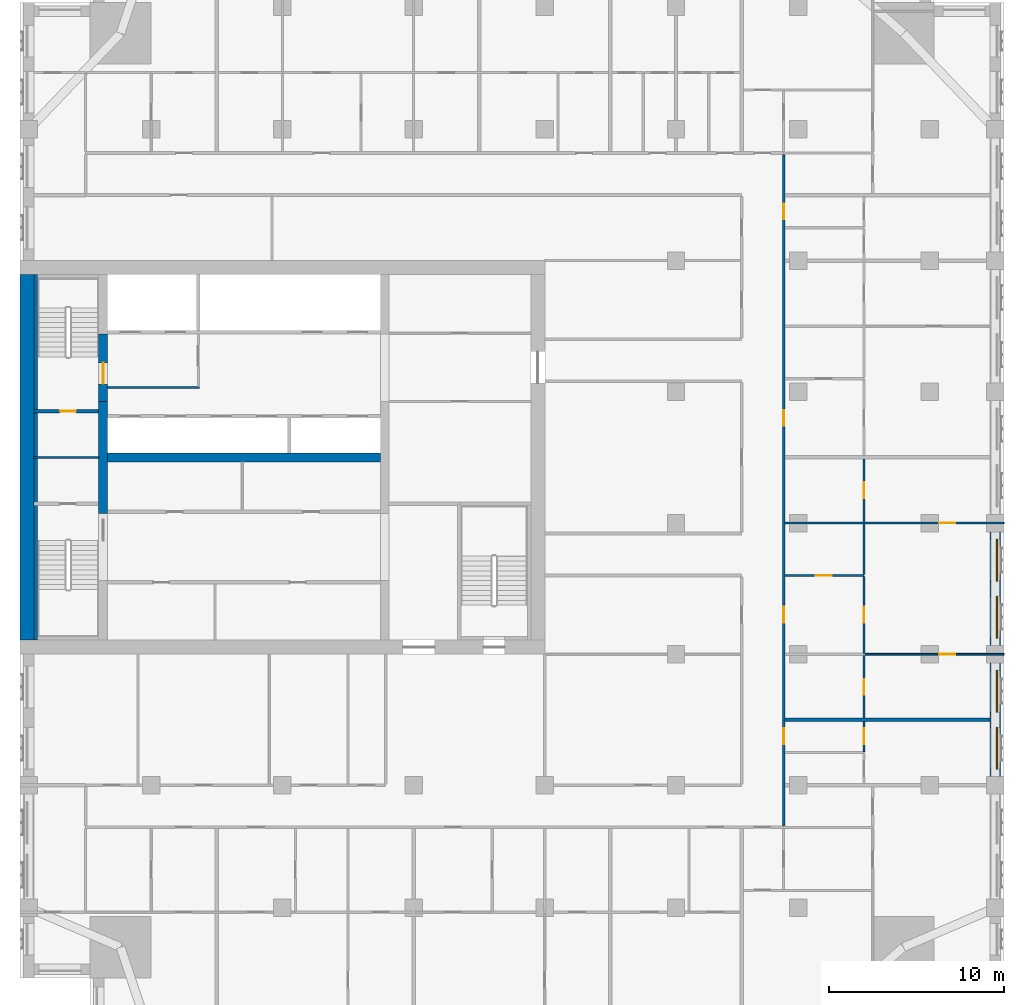
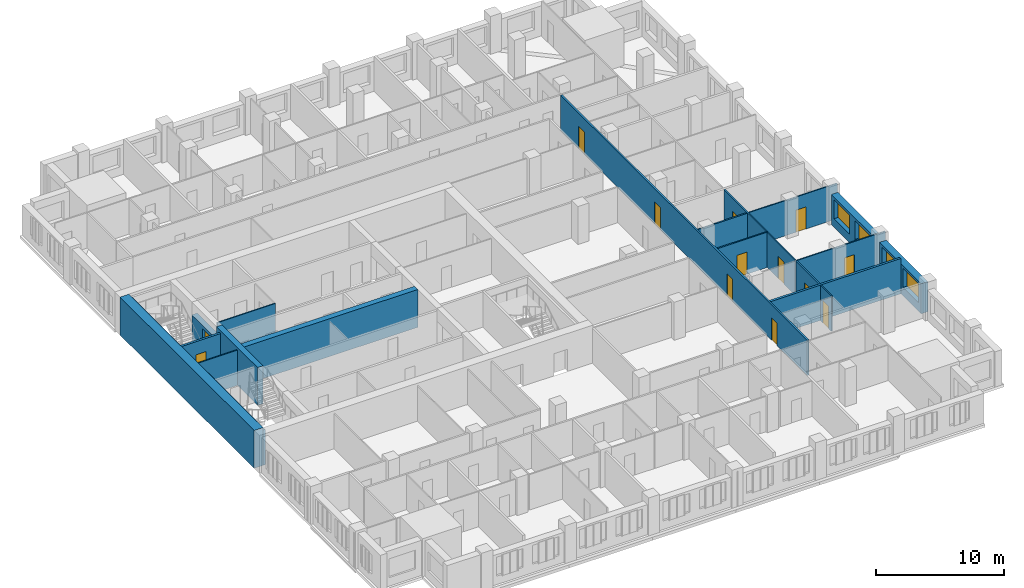
# One storey, part 7 of 14: 20 walls, 13 doors, 4 windows, 17 openings.
"""IFC4 building model written with IfcOpenShell, lengths in metres."""

from ifc_helpers import new_model, si_unit, direction, frame, frame_2d, origin, place, context, subcontext, project, spatial, rectangle, extrude, material, layer, layer_set, type_object, element, fill, save


model = new_model("IFC4")

# Units and contexts
model_context = context("Model", 3, precision=1e-05, world=origin(), true_north=direction((0.0, 1.0)))
body_context = subcontext(model_context, "Body", "Model", "MODEL_VIEW")
ifc_project = project(units=[si_unit("LENGTHUNIT", "METRE"), si_unit("AREAUNIT", "SQUARE_METRE"), si_unit("VOLUMEUNIT", "CUBIC_METRE"), si_unit("PLANEANGLEUNIT", "RADIAN"), si_unit("MASSUNIT", "GRAM", prefix="KILO")], contexts=[model_context])

# Site, building, storey
site_placement = place(None, origin())
site = spatial("IfcSite", under=ifc_project, at=site_placement, CompositionType="ELEMENT")
building_placement = place(site_placement, origin())
building = spatial("IfcBuilding", under=site, at=building_placement, Name="Tamorin Gate", CompositionType="ELEMENT")
storey_placement = place(building_placement, frame((0.0, 0.0, 151.800048828125)))
storey = spatial("IfcBuildingStorey", under=building, at=storey_placement, Name="L37", CompositionType="ELEMENT", Elevation=151.800048828125)

# Wall, openings, windows
ifc_material_1 = material(Name="Precast concrete C40/50", Category="concrete")
ifc_layer_1 = layer(ifc_material_1, 0.60009765625)
ifc_layer_set_1 = layer_set([ifc_layer_1], Name="Precast concrete C40/50")
wall_type_1 = type_object("IfcWallType", Name="Board-marked concrete facade panel 600", PredefinedType="SOLIDWALL", material=ifc_layer_set_1)
wall_1_placement = place(storey_placement, frame((85.75, 53.0, 0.0), z_axis=(0.0, 0.0, 1.0), x_axis=(0.0, 1.0, 0.0)))
wall_1 = element("IfcWall", 1, at=wall_1_placement, inside=storey, type_object=wall_type_1, Name="Facade panel", PredefinedType="SOLIDWALL", context=body_context, shape_type="SweptSolid", body=[
    extrude(rectangle(XDim=6.5, YDim=0.60009765625, at=frame_2d((3.25, 0.0))), origin(), (0.0, 0.0, 1.0), 2.849853515625),
])
opening_1_placement = place(wall_1_placement, frame((0.425048828125, 0.0, 0.800048828125)))
opening_1 = element("IfcOpeningElement", 2, at=opening_1_placement, cuts=wall_1, Name="Opening WN1", PredefinedType="OPENING", context=body_context, shape_type="SweptSolid", body=[
    extrude(rectangle(XDim=2.39990234375, YDim=1.800048828125, at=frame_2d((1.199951171875, 0.89990234375))), frame((0.0, 0.31005859375, 0.0), z_axis=(0.0, -1.0, 0.0), x_axis=(1.0, 0.0, 0.0)), (0.0, 0.0, 1.0), 0.6201171875),
])
opening_2_placement = place(wall_1_placement, frame((3.675048828125, 0.0, 0.800048828125)))
opening_2 = element("IfcOpeningElement", 3, at=opening_2_placement, cuts=wall_1, Name="Opening WN1", PredefinedType="OPENING", context=body_context, shape_type="SweptSolid", body=[
    extrude(rectangle(XDim=2.39990234375, YDim=1.800048828125, at=frame_2d((1.199951171875, 0.89990234375))), frame((0.0, 0.31005859375, 0.0), z_axis=(0.0, -1.0, 0.0), x_axis=(1.0, 0.0, 0.0)), (0.0, 0.0, 1.0), 0.6201171875),
])
ifc_material_2 = material(Name="Clear glass in aluminium frame", Category="aluminium")
window_type = type_object("IfcWindowType", Name="Deep-set window 2400x1800", PartitioningType="SINGLE_PANEL", PredefinedType="WINDOW", material=ifc_material_2)
window_1_placement = place(opening_1_placement, origin())
window_1 = element("IfcWindow", 4, at=window_1_placement, inside=storey, type_object=window_type, Name="Deep-set window", OverallHeight=1.800048828125, OverallWidth=2.39990234375, PartitioningType="SINGLE_PANEL", PredefinedType="WINDOW", context=body_context, shape_type="SweptSolid", body=[
    extrude(rectangle(XDim=2.39990234375, YDim=1.800048828125, at=frame_2d((1.199951171875, 0.89990234375))), frame((0.0, -0.070068359375, 0.0), z_axis=(0.0, -1.0, 0.0), x_axis=(1.0, 0.0, 0.0)), (0.0, 0.0, 1.0), 0.06005859375),
])
fill(opening_1, window_1)
window_2_placement = place(opening_2_placement, origin())
window_2 = element("IfcWindow", 5, at=window_2_placement, inside=storey, type_object=window_type, Name="Deep-set window", OverallHeight=1.800048828125, OverallWidth=2.39990234375, PartitioningType="SINGLE_PANEL", PredefinedType="WINDOW", context=body_context, shape_type="SweptSolid", body=[
    extrude(rectangle(XDim=2.39990234375, YDim=1.800048828125, at=frame_2d((1.199951171875, 0.89990234375))), frame((0.0, -0.070068359375, 0.0), z_axis=(0.0, -1.0, 0.0), x_axis=(1.0, 0.0, 0.0)), (0.0, 0.0, 1.0), 0.06005859375),
])
fill(opening_2, window_2)

wall_2_placement = place(storey_placement, frame((85.75, 60.5, 0.0), z_axis=(0.0, 0.0, 1.0), x_axis=(0.0, 1.0, 0.0)))
wall_2 = element("IfcWall", 6, at=wall_2_placement, inside=storey, type_object=wall_type_1, Name="Facade panel", PredefinedType="SOLIDWALL", context=body_context, shape_type="SweptSolid", body=[
    extrude(rectangle(XDim=6.5, YDim=0.60009765625, at=frame_2d((3.25, 0.0))), origin(), (0.0, 0.0, 1.0), 2.849853515625),
])
opening_3_placement = place(wall_2_placement, frame((0.425048828125, 0.0, 0.800048828125)))
opening_3 = element("IfcOpeningElement", 7, at=opening_3_placement, cuts=wall_2, Name="Opening WN1", PredefinedType="OPENING", context=body_context, shape_type="SweptSolid", body=[
    extrude(rectangle(XDim=2.39990234375, YDim=1.800048828125, at=frame_2d((1.199951171875, 0.89990234375))), frame((0.0, 0.31005859375, 0.0), z_axis=(0.0, -1.0, 0.0), x_axis=(1.0, 0.0, 0.0)), (0.0, 0.0, 1.0), 0.6201171875),
])
opening_4_placement = place(wall_2_placement, frame((3.675048828125, 0.0, 0.800048828125)))
opening_4 = element("IfcOpeningElement", 8, at=opening_4_placement, cuts=wall_2, Name="Opening WN1", PredefinedType="OPENING", context=body_context, shape_type="SweptSolid", body=[
    extrude(rectangle(XDim=2.39990234375, YDim=1.800048828125, at=frame_2d((1.199951171875, 0.89990234375))), frame((0.0, 0.31005859375, 0.0), z_axis=(0.0, -1.0, 0.0), x_axis=(1.0, 0.0, 0.0)), (0.0, 0.0, 1.0), 0.6201171875),
])
window_3_placement = place(opening_3_placement, origin())
window_3 = element("IfcWindow", 9, at=window_3_placement, inside=storey, type_object=window_type, Name="Deep-set window", OverallHeight=1.800048828125, OverallWidth=2.39990234375, PartitioningType="SINGLE_PANEL", PredefinedType="WINDOW", context=body_context, shape_type="SweptSolid", body=[
    extrude(rectangle(XDim=2.39990234375, YDim=1.800048828125, at=frame_2d((1.199951171875, 0.89990234375))), frame((0.0, -0.070068359375, 0.0), z_axis=(0.0, -1.0, 0.0), x_axis=(1.0, 0.0, 0.0)), (0.0, 0.0, 1.0), 0.06005859375),
])
fill(opening_3, window_3)
window_4_placement = place(opening_4_placement, origin())
window_4 = element("IfcWindow", 10, at=window_4_placement, inside=storey, type_object=window_type, Name="Deep-set window", OverallHeight=1.800048828125, OverallWidth=2.39990234375, PartitioningType="SINGLE_PANEL", PredefinedType="WINDOW", context=body_context, shape_type="SweptSolid", body=[
    extrude(rectangle(XDim=2.39990234375, YDim=1.800048828125, at=frame_2d((1.199951171875, 0.89990234375))), frame((0.0, -0.070068359375, 0.0), z_axis=(0.0, -1.0, 0.0), x_axis=(1.0, 0.0, 0.0)), (0.0, 0.0, 1.0), 0.06005859375),
])
fill(opening_4, window_4)

# Wall, openings, doors
ifc_material_3 = material(Name="Gypsum board partition")
ifc_layer_2 = layer(ifc_material_3, 0.14990234375)
ifc_layer_set_2 = layer_set([ifc_layer_2], Name="Corridor wall 150")
wall_type_2 = type_object("IfcWallType", Name="Corridor wall 150", PredefinedType="PARTITIONING", material=ifc_layer_set_2)
wall_3_placement = place(storey_placement, frame((73.64990234375, 50.175048828125, 0.0), z_axis=(0.0, 0.0, 1.0), x_axis=(0.0, 1.0, 0.0)))
wall_3 = element("IfcWall", 11, at=wall_3_placement, inside=storey, type_object=wall_type_2, Name="Corridor wall 150", PredefinedType="PARTITIONING", context=body_context, shape_type="SweptSolid", body=[
    extrude(rectangle(XDim=38.39990234375, YDim=0.14990234375, at=frame_2d((19.199951171875, 0.0))), origin(), (0.0, 0.0, 1.0), 3.349853515625),
])
opening_5_placement = place(wall_3_placement, frame((4.6875, 0.0, 0.0)))
opening_5 = element("IfcOpeningElement", 12, at=opening_5_placement, cuts=wall_3, Name="Opening DS3039", PredefinedType="OPENING", context=body_context, shape_type="SweptSolid", body=[
    extrude(rectangle(XDim=0.89990234375, YDim=2.10009765625, at=frame_2d((0.449951171875, 1.050048828125))), frame((0.0, 0.0849609375, 0.0), z_axis=(0.0, -1.0, 0.0), x_axis=(1.0, 0.0, 0.0)), (0.0, 0.0, 1.0), 0.169921875),
])
opening_6_placement = place(wall_3_placement, frame((11.625, 0.0, 0.0)))
opening_6 = element("IfcOpeningElement", 13, at=opening_6_placement, cuts=wall_3, Name="Opening DS3042", PredefinedType="OPENING", context=body_context, shape_type="SweptSolid", body=[
    extrude(rectangle(XDim=0.89990234375, YDim=2.10009765625, at=frame_2d((0.449951171875, 1.050048828125))), frame((0.0, 0.0849609375, 0.0), z_axis=(0.0, -1.0, 0.0), x_axis=(1.0, 0.0, 0.0)), (0.0, 0.0, 1.0), 0.169921875),
])
opening_7_placement = place(wall_3_placement, frame((22.875, 0.0, 0.0)))
opening_7 = element("IfcOpeningElement", 14, at=opening_7_placement, cuts=wall_3, Name="Opening DS3048", PredefinedType="OPENING", context=body_context, shape_type="SweptSolid", body=[
    extrude(rectangle(XDim=0.89990234375, YDim=2.10009765625, at=frame_2d((0.449951171875, 1.050048828125))), frame((0.0, 0.0849609375, 0.0), z_axis=(0.0, -1.0, 0.0), x_axis=(1.0, 0.0, 0.0)), (0.0, 0.0, 1.0), 0.169921875),
])
opening_8_placement = place(wall_3_placement, frame((34.6875, 0.0, 0.0)))
opening_8 = element("IfcOpeningElement", 15, at=opening_8_placement, cuts=wall_3, Name="Opening DS3054", PredefinedType="OPENING", context=body_context, shape_type="SweptSolid", body=[
    extrude(rectangle(XDim=0.89990234375, YDim=2.10009765625, at=frame_2d((0.449951171875, 1.050048828125))), frame((0.0, 0.0849609375, 0.0), z_axis=(0.0, -1.0, 0.0), x_axis=(1.0, 0.0, 0.0)), (0.0, 0.0, 1.0), 0.169921875),
])
ifc_material_4 = material(Name="Timber door leaf", Category="wood")
door_type_1 = type_object("IfcDoorType", Name="Door 900 x 2100 FD30S", OperationType="NOTDEFINED", PredefinedType="DOOR", material=ifc_material_4)
door_1_placement = place(opening_5_placement, origin())
door_1 = element("IfcDoor", 16, at=door_1_placement, inside=storey, type_object=door_type_1, Name="Door DS3039", OperationType="SINGLE_SWING_RIGHT", OverallHeight=2.10009765625, OverallWidth=0.89990234375, PredefinedType="DOOR", context=body_context, shape_type="SweptSolid", body=[
    extrude(rectangle(XDim=0.89990234375, YDim=2.10009765625, at=frame_2d((0.449951171875, 1.050048828125))), frame((0.0, 0.02490234375, 0.0), z_axis=(0.0, -1.0, 0.0), x_axis=(1.0, 0.0, 0.0)), (0.0, 0.0, 1.0), 0.050048828125),
])
fill(opening_5, door_1)
door_2_placement = place(opening_6_placement, origin())
door_2 = element("IfcDoor", 17, at=door_2_placement, inside=storey, type_object=door_type_1, Name="Door DS3042", OperationType="SINGLE_SWING_RIGHT", OverallHeight=2.10009765625, OverallWidth=0.89990234375, PredefinedType="DOOR", context=body_context, shape_type="SweptSolid", body=[
    extrude(rectangle(XDim=0.89990234375, YDim=2.10009765625, at=frame_2d((0.449951171875, 1.050048828125))), frame((0.0, 0.02490234375, 0.0), z_axis=(0.0, -1.0, 0.0), x_axis=(1.0, 0.0, 0.0)), (0.0, 0.0, 1.0), 0.050048828125),
])
fill(opening_6, door_2)
door_3_placement = place(opening_7_placement, origin())
door_3 = element("IfcDoor", 18, at=door_3_placement, inside=storey, type_object=door_type_1, Name="Door DS3048", OperationType="SINGLE_SWING_RIGHT", OverallHeight=2.10009765625, OverallWidth=0.89990234375, PredefinedType="DOOR", context=body_context, shape_type="SweptSolid", body=[
    extrude(rectangle(XDim=0.89990234375, YDim=2.10009765625, at=frame_2d((0.449951171875, 1.050048828125))), frame((0.0, 0.02490234375, 0.0), z_axis=(0.0, -1.0, 0.0), x_axis=(1.0, 0.0, 0.0)), (0.0, 0.0, 1.0), 0.050048828125),
])
fill(opening_7, door_3)
door_4_placement = place(opening_8_placement, origin())
door_4 = element("IfcDoor", 19, at=door_4_placement, inside=storey, type_object=door_type_1, Name="Door DS3054", OperationType="SINGLE_SWING_RIGHT", OverallHeight=2.10009765625, OverallWidth=0.89990234375, PredefinedType="DOOR", context=body_context, shape_type="SweptSolid", body=[
    extrude(rectangle(XDim=0.89990234375, YDim=2.10009765625, at=frame_2d((0.449951171875, 1.050048828125))), frame((0.0, 0.02490234375, 0.0), z_axis=(0.0, -1.0, 0.0), x_axis=(1.0, 0.0, 0.0)), (0.0, 0.0, 1.0), 0.050048828125),
])
fill(opening_8, door_4)

# Walls
ifc_layer_3 = layer(ifc_material_3, 0.199951171875)
ifc_layer_set_3 = layer_set([ifc_layer_3], Name="Demising wall 200")
wall_type_3 = type_object("IfcWallType", Name="Demising wall 200", PredefinedType="PARTITIONING", material=ifc_layer_set_3)
wall_4_placement = place(storey_placement, frame((73.72509765625, 56.25, 0.0), z_axis=(0.0, 0.0, 1.0), x_axis=(1.0, 0.0, 0.0)))
element("IfcWall", 20, at=wall_4_placement, inside=storey, type_object=wall_type_3, Name="Demising wall 200", PredefinedType="PARTITIONING", context=body_context, shape_type="SweptSolid", body=[
    extrude(rectangle(XDim=11.71484375, YDim=0.199951171875, at=frame_2d((5.857421875, 0.0))), origin(), (0.0, 0.0, 1.0), 3.349853515625),
])
ifc_material_5 = material(Name="Fire-rated gypsum board partition")
ifc_layer_4 = layer(ifc_material_5, 0.10009765625)
ifc_layer_set_4 = layer_set([ifc_layer_4], Name="Lobby wall 100 EI 60")
wall_type_4 = type_object("IfcWallType", Name="Lobby wall 100 EI 60", PredefinedType="PARTITIONING", material=ifc_layer_set_4)
wall_5_placement = place(storey_placement, frame((35.0, 75.25, 0.0), z_axis=(0.0, 0.0, 1.0), x_axis=(1.0, 0.0, 0.0)))
element("IfcWall", 21, at=wall_5_placement, inside=storey, type_object=wall_type_4, Name="Firefighting lobby wall", PredefinedType="PARTITIONING", context=body_context, shape_type="SweptSolid", body=[
    extrude(rectangle(XDim=5.25, YDim=0.10009765625, at=frame_2d((2.625, 0.0))), origin(), (0.0, 0.0, 1.0), 3.349853515625),
])
ifc_material_6 = material(Name="Concrete C60/75", Category="concrete")
ifc_layer_5 = layer(ifc_material_6, 0.5)
ifc_layer_set_5 = layer_set([ifc_layer_5], Name="RC core internal wall 500 C60/75")
wall_type_5 = type_object("IfcWallType", Name="RC core internal wall 500 C60/75", PredefinedType="SHEAR", material=ifc_layer_set_5)
wall_6_placement = place(storey_placement, frame((35.0, 71.25, 0.0), z_axis=(0.0, 0.0, 1.0), x_axis=(1.0, 0.0, 0.0)))
element("IfcWall", 22, at=wall_6_placement, inside=storey, type_object=wall_type_5, Name="Core spine wall L37", PredefinedType="SHEAR", context=body_context, shape_type="SweptSolid", body=[
    extrude(rectangle(XDim=15.60009765625, YDim=0.5, at=frame_2d((7.800048828125, 0.0))), origin(), (0.0, 0.0, 1.0), 3.599853515625),
])
wall_7_placement = place(storey_placement, frame((34.75, 68.050048828125, 0.0), z_axis=(0.0, 0.0, 1.0), x_axis=(0.0, 1.0, 0.0)))
element("IfcWall", 23, at=wall_7_placement, inside=storey, type_object=wall_type_5, Name="Core cross wall L37", PredefinedType="SHEAR", context=body_context, shape_type="SweptSolid", body=[
    extrude(rectangle(XDim=6.39990234375, YDim=0.5, at=frame_2d((3.199951171875, 0.0))), origin(), (0.0, 0.0, 1.0), 3.599853515625),
])
ifc_layer_6 = layer(ifc_material_6, 0.800048828125)
ifc_layer_set_6 = layer_set([ifc_layer_6], Name="RC core wall 800 C60/75")
wall_type_6 = type_object("IfcWallType", Name="RC core wall 800 C60/75", PredefinedType="SHEAR", material=ifc_layer_set_6)
wall_8_placement = place(storey_placement, frame((30.39990234375, 60.800048828125, 0.0), z_axis=(0.0, 0.0, 1.0), x_axis=(0.0, 1.0, 0.0)))
element("IfcWall", 24, at=wall_8_placement, inside=storey, type_object=wall_type_6, Name="Core wall L37", PredefinedType="SHEAR", context=body_context, shape_type="SweptSolid", body=[
    extrude(rectangle(XDim=20.89990234375, YDim=0.800048828125, at=frame_2d((10.449951171875, 0.0))), origin(), (0.0, 0.0, 1.0), 3.599853515625),
])
ifc_layer_7 = layer(ifc_material_5, 0.10009765625)
ifc_layer_set_7 = layer_set([ifc_layer_7], Name="Riser partition 100 EI 120")
wall_type_7 = type_object("IfcWallType", Name="Riser partition 100 EI 120", PredefinedType="PARTITIONING", material=ifc_layer_set_7)
wall_9_placement = place(storey_placement, frame((30.800048828125, 71.25, 0.0), z_axis=(0.0, 0.0, 1.0), x_axis=(1.0, 0.0, 0.0)))
element("IfcWall", 25, at=wall_9_placement, inside=storey, type_object=wall_type_7, Name="Riser partition", PredefinedType="PARTITIONING", context=body_context, shape_type="SweptSolid", body=[
    extrude(rectangle(XDim=3.699951171875, YDim=0.10009765625, at=frame_2d((1.85009765625, 0.0))), origin(), (0.0, 0.0, 1.0), 3.349853515625),
])

# Wall, opening, door
ifc_layer_8 = layer(ifc_material_3, 0.10009765625)
ifc_layer_set_8 = layer_set([ifc_layer_8], Name="Room partition 100")
wall_type_8 = type_object("IfcWallType", Name="Room partition 100", PredefinedType="PARTITIONING", material=ifc_layer_set_8)
wall_10_placement = place(storey_placement, frame((78.3125, 60.0, 0.0), z_axis=(0.0, 0.0, 1.0), x_axis=(1.0, 0.0, 0.0)))
wall_10 = element("IfcWall", 26, at=wall_10_placement, inside=storey, type_object=wall_type_8, Name="Room partition 100", PredefinedType="PARTITIONING", context=body_context, shape_type="SweptSolid", body=[
    extrude(rectangle(XDim=7.9375, YDim=0.10009765625, at=frame_2d((3.96875, 0.0))), origin(), (0.0, 0.0, 1.0), 3.349853515625),
])
opening_9_placement = place(wall_10_placement, frame((4.237548828125, 0.0, 0.0)))
opening_9 = element("IfcOpeningElement", 27, at=opening_9_placement, cuts=wall_10, Name="Opening DS3046", PredefinedType="OPENING", context=body_context, shape_type="SweptSolid", body=[
    extrude(rectangle(XDim=0.89990234375, YDim=2.10009765625, at=frame_2d((0.449951171875, 1.050048828125))), frame((0.0, 0.06005859375, 0.0), z_axis=(0.0, -1.0, 0.0), x_axis=(1.0, 0.0, 0.0)), (0.0, 0.0, 1.0), 0.1201171875),
])
door_type_2 = type_object("IfcDoorType", Name="Door 900 x 2100", OperationType="NOTDEFINED", PredefinedType="DOOR", material=ifc_material_4)
door_5_placement = place(opening_9_placement, origin())
door_5 = element("IfcDoor", 28, at=door_5_placement, inside=storey, type_object=door_type_2, Name="Door DS3046", OperationType="SINGLE_SWING_LEFT", OverallHeight=2.10009765625, OverallWidth=0.89990234375, PredefinedType="DOOR", context=body_context, shape_type="SweptSolid", body=[
    extrude(rectangle(XDim=0.89990234375, YDim=2.10009765625, at=frame_2d((0.449951171875, 1.050048828125))), frame((0.0, 0.02490234375, 0.0), z_axis=(0.0, -1.0, 0.0), x_axis=(1.0, 0.0, 0.0)), (0.0, 0.0, 1.0), 0.050048828125),
])
fill(opening_9, door_5)

wall_11_placement = place(storey_placement, frame((78.3125, 67.5, 0.0), z_axis=(0.0, 0.0, 1.0), x_axis=(1.0, 0.0, 0.0)))
wall_11 = element("IfcWall", 29, at=wall_11_placement, inside=storey, type_object=wall_type_8, Name="Room partition 100", PredefinedType="PARTITIONING", context=body_context, shape_type="SweptSolid", body=[
    extrude(rectangle(XDim=7.9375, YDim=0.10009765625, at=frame_2d((3.96875, 0.0))), origin(), (0.0, 0.0, 1.0), 3.349853515625),
])
opening_10_placement = place(wall_11_placement, frame((4.237548828125, 0.0, 0.0)))
opening_10 = element("IfcOpeningElement", 30, at=opening_10_placement, cuts=wall_11, Name="Opening DS3047", PredefinedType="OPENING", context=body_context, shape_type="SweptSolid", body=[
    extrude(rectangle(XDim=0.89990234375, YDim=2.10009765625, at=frame_2d((0.449951171875, 1.050048828125))), frame((0.0, 0.06005859375, 0.0), z_axis=(0.0, -1.0, 0.0), x_axis=(1.0, 0.0, 0.0)), (0.0, 0.0, 1.0), 0.1201171875),
])
door_6_placement = place(opening_10_placement, origin())
door_6 = element("IfcDoor", 31, at=door_6_placement, inside=storey, type_object=door_type_2, Name="Door DS3047", OperationType="SINGLE_SWING_LEFT", OverallHeight=2.10009765625, OverallWidth=0.89990234375, PredefinedType="DOOR", context=body_context, shape_type="SweptSolid", body=[
    extrude(rectangle(XDim=0.89990234375, YDim=2.10009765625, at=frame_2d((0.449951171875, 1.050048828125))), frame((0.0, 0.02490234375, 0.0), z_axis=(0.0, -1.0, 0.0), x_axis=(1.0, 0.0, 0.0)), (0.0, 0.0, 1.0), 0.050048828125),
])
fill(opening_10, door_6)

wall_12_placement = place(storey_placement, frame((78.25, 54.4375, 0.0), z_axis=(0.0, 0.0, 1.0), x_axis=(0.0, 1.0, 0.0)))
wall_12 = element("IfcWall", 32, at=wall_12_placement, inside=storey, type_object=wall_type_8, Name="Room partition 100", PredefinedType="PARTITIONING", context=body_context, shape_type="SweptSolid", body=[
    extrude(rectangle(XDim=1.71240234375, YDim=0.10009765625, at=frame_2d((0.856201171875, 0.0))), origin(), (0.0, 0.0, 1.0), 3.349853515625),
])
opening_11_placement = place(wall_12_placement, frame((0.425048828125, 0.0, 0.0)))
opening_11 = element("IfcOpeningElement", 33, at=opening_11_placement, cuts=wall_12, Name="Opening DS3040", PredefinedType="OPENING", context=body_context, shape_type="SweptSolid", body=[
    extrude(rectangle(XDim=0.89990234375, YDim=2.10009765625, at=frame_2d((0.449951171875, 1.050048828125))), frame((0.0, 0.06005859375, 0.0), z_axis=(0.0, -1.0, 0.0), x_axis=(1.0, 0.0, 0.0)), (0.0, 0.0, 1.0), 0.1201171875),
])
door_7_placement = place(opening_11_placement, origin())
door_7 = element("IfcDoor", 34, at=door_7_placement, inside=storey, type_object=door_type_2, Name="Door DS3040", OperationType="SINGLE_SWING_LEFT", OverallHeight=2.10009765625, OverallWidth=0.89990234375, PredefinedType="DOOR", context=body_context, shape_type="SweptSolid", body=[
    extrude(rectangle(XDim=0.89990234375, YDim=2.10009765625, at=frame_2d((0.449951171875, 1.050048828125))), frame((0.0, 0.02490234375, 0.0), z_axis=(0.0, -1.0, 0.0), x_axis=(1.0, 0.0, 0.0)), (0.0, 0.0, 1.0), 0.050048828125),
])
fill(opening_11, door_7)

wall_13_placement = place(storey_placement, frame((78.25, 60.0625, 0.0), z_axis=(0.0, 0.0, 1.0), x_axis=(0.0, 1.0, 0.0)))
wall_13 = element("IfcWall", 35, at=wall_13_placement, inside=storey, type_object=wall_type_8, Name="Room partition 100", PredefinedType="PARTITIONING", context=body_context, shape_type="SweptSolid", body=[
    extrude(rectangle(XDim=4.375, YDim=0.10009765625, at=frame_2d((2.1875, 0.0))), origin(), (0.0, 0.0, 1.0), 3.349853515625),
])
opening_12_placement = place(wall_13_placement, frame((1.737548828125, 0.0, 0.0)))
opening_12 = element("IfcOpeningElement", 36, at=opening_12_placement, cuts=wall_13, Name="Opening DS3043", PredefinedType="OPENING", context=body_context, shape_type="SweptSolid", body=[
    extrude(rectangle(XDim=0.89990234375, YDim=2.10009765625, at=frame_2d((0.449951171875, 1.050048828125))), frame((0.0, 0.06005859375, 0.0), z_axis=(0.0, -1.0, 0.0), x_axis=(1.0, 0.0, 0.0)), (0.0, 0.0, 1.0), 0.1201171875),
])
door_8_placement = place(opening_12_placement, origin())
door_8 = element("IfcDoor", 37, at=door_8_placement, inside=storey, type_object=door_type_2, Name="Door DS3043", OperationType="SINGLE_SWING_LEFT", OverallHeight=2.10009765625, OverallWidth=0.89990234375, PredefinedType="DOOR", context=body_context, shape_type="SweptSolid", body=[
    extrude(rectangle(XDim=0.89990234375, YDim=2.10009765625, at=frame_2d((0.449951171875, 1.050048828125))), frame((0.0, 0.02490234375, 0.0), z_axis=(0.0, -1.0, 0.0), x_axis=(1.0, 0.0, 0.0)), (0.0, 0.0, 1.0), 0.050048828125),
])
fill(opening_12, door_8)

ifc_material_7 = material(Name="Concrete C40/50", Category="concrete")
ifc_layer_9 = layer(ifc_material_7, 0.199951171875)
ifc_layer_set_9 = layer_set([ifc_layer_9], Name="Stair enclosure wall 200 EI 120 C40/50")
wall_type_9 = type_object("IfcWallType", Name="Stair enclosure wall 200 EI 120 C40/50", PredefinedType="SOLIDWALL", material=ifc_layer_set_9)
wall_14_placement = place(storey_placement, frame((30.800048828125, 73.89990234375, 0.0), z_axis=(0.0, 0.0, 1.0), x_axis=(1.0, 0.0, 0.0)))
wall_14 = element("IfcWall", 38, at=wall_14_placement, inside=storey, type_object=wall_type_9, Name="Stair enclosure wall", PredefinedType="SOLIDWALL", context=body_context, shape_type="SweptSolid", body=[
    extrude(rectangle(XDim=3.699951171875, YDim=0.199951171875, at=frame_2d((1.85009765625, 0.0))), origin(), (0.0, 0.0, 1.0), 3.349853515625),
])
opening_13_placement = place(wall_14_placement, frame((1.5, 0.0, 0.0)))
opening_13 = element("IfcOpeningElement", 39, at=opening_13_placement, cuts=wall_14, Name="Opening DR1", PredefinedType="OPENING", context=body_context, shape_type="SweptSolid", body=[
    extrude(rectangle(XDim=0.89990234375, YDim=2.10009765625, at=frame_2d((0.449951171875, 1.050048828125))), frame((0.0, 0.10986328125, 0.0), z_axis=(0.0, -1.0, 0.0), x_axis=(1.0, 0.0, 0.0)), (0.0, 0.0, 1.0), 0.219970703125),
])
ifc_material_8 = material(Name="Steel fire door", Category="steel")
door_type_3 = type_object("IfcDoorType", Name="Riser access door 900 x 2100 EI 120", OperationType="SINGLE_SWING_LEFT", PredefinedType="DOOR", material=ifc_material_8)
door_9_placement = place(opening_13_placement, origin())
door_9 = element("IfcDoor", 40, at=door_9_placement, inside=storey, type_object=door_type_3, Name="Communications riser door", OperationType="SINGLE_SWING_RIGHT", OverallHeight=2.10009765625, OverallWidth=0.89990234375, PredefinedType="DOOR", context=body_context, shape_type="SweptSolid", body=[
    extrude(rectangle(XDim=0.89990234375, YDim=2.10009765625, at=frame_2d((0.449951171875, 1.050048828125))), frame((0.0, 0.02490234375, 0.0), z_axis=(0.0, -1.0, 0.0), x_axis=(1.0, 0.0, 0.0)), (0.0, 0.0, 1.0), 0.050048828125),
])
fill(opening_13, door_9)

# Wall
ifc_layer_10 = layer(ifc_material_6, 0.199951171875)
ifc_layer_set_10 = layer_set([ifc_layer_10], Name="Stair lining wall 200 EI 120 C60/75")
wall_type_10 = type_object("IfcWallType", Name="Stair lining wall 200 EI 120 C60/75", PredefinedType="SOLIDWALL", material=ifc_layer_set_10)
wall_15_placement = place(storey_placement, frame((30.89990234375, 60.800048828125, 0.0), z_axis=(0.0, 0.0, 1.0), x_axis=(0.0, 1.0, 0.0)))
element("IfcWall", 41, at=wall_15_placement, inside=storey, type_object=wall_type_10, Name="Stair lining wall", PredefinedType="SOLIDWALL", context=body_context, shape_type="SweptSolid", body=[
    extrude(rectangle(XDim=20.89990234375, YDim=0.199951171875, at=frame_2d((10.449951171875, 0.0))), origin(), (0.0, 0.0, 1.0), 3.349853515625),
])

# Wall, opening, door
ifc_material_9 = material(Name="Concrete C32/40", Category="concrete")
ifc_layer_11 = layer(ifc_material_9, 0.5)
ifc_layer_set_11 = layer_set([ifc_layer_11], Name="Stair lobby infill wall 500 EI 120")
wall_type_11 = type_object("IfcWallType", Name="Stair lobby infill wall 500 EI 120", PredefinedType="SOLIDWALL", material=ifc_layer_set_11)
wall_16_placement = place(storey_placement, frame((34.75, 74.449951171875, 0.0), z_axis=(0.0, 0.0, 1.0), x_axis=(0.0, 1.0, 0.0)))
wall_16 = element("IfcWall", 42, at=wall_16_placement, inside=storey, type_object=wall_type_11, Name="Stair lobby infill wall", PredefinedType="SOLIDWALL", context=body_context, shape_type="SweptSolid", body=[
    extrude(rectangle(XDim=3.85009765625, YDim=0.5, at=frame_2d((1.925048828125, 0.0))), origin(), (0.0, 0.0, 1.0), 2.39990234375),
])
opening_14_placement = place(wall_16_placement, frame((1.0, 0.0, 0.0)))
opening_14 = element("IfcOpeningElement", 43, at=opening_14_placement, cuts=wall_16, Name="Opening DS1", PredefinedType="OPENING", context=body_context, shape_type="SweptSolid", body=[
    extrude(rectangle(XDim=1.199951171875, YDim=2.10009765625, at=frame_2d((0.60009765625, 1.050048828125))), frame((0.0, 0.260009765625, 0.0), z_axis=(0.0, -1.0, 0.0), x_axis=(1.0, 0.0, 0.0)), (0.0, 0.0, 1.0), 0.52001953125),
])
door_type_4 = type_object("IfcDoorType", Name="Stair door 1200 x 2100 EI 90", OperationType="SINGLE_SWING_LEFT", PredefinedType="DOOR", material=ifc_material_8)
door_10_placement = place(opening_14_placement, origin())
door_10 = element("IfcDoor", 44, at=door_10_placement, inside=storey, type_object=door_type_4, Name="ST2 door", OperationType="SINGLE_SWING_RIGHT", OverallHeight=2.10009765625, OverallWidth=1.199951171875, PredefinedType="DOOR", context=body_context, shape_type="SweptSolid", body=[
    extrude(rectangle(XDim=1.199951171875, YDim=2.10009765625, at=frame_2d((0.60009765625, 1.050048828125))), frame((0.0, 0.02490234375, 0.0), z_axis=(0.0, -1.0, 0.0), x_axis=(1.0, 0.0, 0.0)), (0.0, 0.0, 1.0), 0.050048828125),
])
fill(opening_14, door_10)

ifc_layer_12 = layer(ifc_material_3, 0.125)
ifc_layer_set_12 = layer_set([ifc_layer_12], Name="Wet wall 125")
wall_type_12 = type_object("IfcWallType", Name="Wet wall 125", PredefinedType="PARTITIONING", material=ifc_layer_set_12)
wall_17_placement = place(storey_placement, frame((73.72509765625, 64.5, 0.0), z_axis=(0.0, 0.0, 1.0), x_axis=(1.0, 0.0, 0.0)))
wall_17 = element("IfcWall", 45, at=wall_17_placement, inside=storey, type_object=wall_type_12, Name="Wet wall 125", PredefinedType="PARTITIONING", context=body_context, shape_type="SweptSolid", body=[
    extrude(rectangle(XDim=4.52490234375, YDim=0.125, at=frame_2d((2.262451171875, 0.0))), origin(), (0.0, 0.0, 1.0), 3.349853515625),
])
opening_15_placement = place(wall_17_placement, frame((1.77490234375, 0.0, 0.0)))
opening_15 = element("IfcOpeningElement", 46, at=opening_15_placement, cuts=wall_17, Name="Opening DS3044", PredefinedType="OPENING", context=body_context, shape_type="SweptSolid", body=[
    extrude(rectangle(XDim=0.89990234375, YDim=2.10009765625, at=frame_2d((0.449951171875, 1.050048828125))), frame((0.0, 0.072509765625, 0.0), z_axis=(0.0, -1.0, 0.0), x_axis=(1.0, 0.0, 0.0)), (0.0, 0.0, 1.0), 0.14501953125),
])
door_11_placement = place(opening_15_placement, origin())
door_11 = element("IfcDoor", 47, at=door_11_placement, inside=storey, type_object=door_type_2, Name="Door DS3044", OperationType="SINGLE_SWING_RIGHT", OverallHeight=2.10009765625, OverallWidth=0.89990234375, PredefinedType="DOOR", context=body_context, shape_type="SweptSolid", body=[
    extrude(rectangle(XDim=0.89990234375, YDim=2.10009765625, at=frame_2d((0.449951171875, 1.050048828125))), frame((0.0, 0.02490234375, 0.0), z_axis=(0.0, -1.0, 0.0), x_axis=(1.0, 0.0, 0.0)), (0.0, 0.0, 1.0), 0.050048828125),
])
fill(opening_15, door_11)

# Wall
wall_18_placement = place(storey_placement, frame((73.72509765625, 67.5, 0.0), z_axis=(0.0, 0.0, 1.0), x_axis=(1.0, 0.0, 0.0)))
element("IfcWall", 48, at=wall_18_placement, inside=storey, type_object=wall_type_12, Name="Wet wall 125", PredefinedType="PARTITIONING", context=body_context, shape_type="SweptSolid", body=[
    extrude(rectangle(XDim=4.46240234375, YDim=0.125, at=frame_2d((2.231201171875, 0.0))), origin(), (0.0, 0.0, 1.0), 3.349853515625),
])

# Wall, opening, door
wall_19_placement = place(storey_placement, frame((78.25, 56.35009765625, 0.0), z_axis=(0.0, 0.0, 1.0), x_axis=(0.0, 1.0, 0.0)))
wall_19 = element("IfcWall", 49, at=wall_19_placement, inside=storey, type_object=wall_type_12, Name="Wet wall 125", PredefinedType="PARTITIONING", context=body_context, shape_type="SweptSolid", body=[
    extrude(rectangle(XDim=3.58740234375, YDim=0.125, at=frame_2d((1.793701171875, 0.0))), origin(), (0.0, 0.0, 1.0), 3.349853515625),
])
opening_16_placement = place(wall_19_placement, frame((1.324951171875, 0.0, 0.0)))
opening_16 = element("IfcOpeningElement", 50, at=opening_16_placement, cuts=wall_19, Name="Opening DS3041", PredefinedType="OPENING", context=body_context, shape_type="SweptSolid", body=[
    extrude(rectangle(XDim=0.89990234375, YDim=2.10009765625, at=frame_2d((0.449951171875, 1.050048828125))), frame((0.0, 0.072509765625, 0.0), z_axis=(0.0, -1.0, 0.0), x_axis=(1.0, 0.0, 0.0)), (0.0, 0.0, 1.0), 0.14501953125),
])
door_12_placement = place(opening_16_placement, origin())
door_12 = element("IfcDoor", 51, at=door_12_placement, inside=storey, type_object=door_type_2, Name="Door DS3041", OperationType="SINGLE_SWING_LEFT", OverallHeight=2.10009765625, OverallWidth=0.89990234375, PredefinedType="DOOR", context=body_context, shape_type="SweptSolid", body=[
    extrude(rectangle(XDim=0.89990234375, YDim=2.10009765625, at=frame_2d((0.449951171875, 1.050048828125))), frame((0.0, 0.02490234375, 0.0), z_axis=(0.0, -1.0, 0.0), x_axis=(1.0, 0.0, 0.0)), (0.0, 0.0, 1.0), 0.050048828125),
])
fill(opening_16, door_12)

wall_20_placement = place(storey_placement, frame((78.25, 64.5625, 0.0), z_axis=(0.0, 0.0, 1.0), x_axis=(0.0, 1.0, 0.0)))
wall_20 = element("IfcWall", 52, at=wall_20_placement, inside=storey, type_object=wall_type_12, Name="Wet wall 125", PredefinedType="PARTITIONING", context=body_context, shape_type="SweptSolid", body=[
    extrude(rectangle(XDim=6.58740234375, YDim=0.125, at=frame_2d((3.293701171875, 0.0))), origin(), (0.0, 0.0, 1.0), 3.349853515625),
])
opening_17_placement = place(wall_20_placement, frame((4.362548828125, 0.0, 0.0)))
opening_17 = element("IfcOpeningElement", 53, at=opening_17_placement, cuts=wall_20, Name="Opening DS3045", PredefinedType="OPENING", context=body_context, shape_type="SweptSolid", body=[
    extrude(rectangle(XDim=0.89990234375, YDim=2.10009765625, at=frame_2d((0.449951171875, 1.050048828125))), frame((0.0, 0.072509765625, 0.0), z_axis=(0.0, -1.0, 0.0), x_axis=(1.0, 0.0, 0.0)), (0.0, 0.0, 1.0), 0.14501953125),
])
door_13_placement = place(opening_17_placement, origin())
door_13 = element("IfcDoor", 54, at=door_13_placement, inside=storey, type_object=door_type_2, Name="Door DS3045", OperationType="SINGLE_SWING_LEFT", OverallHeight=2.10009765625, OverallWidth=0.89990234375, PredefinedType="DOOR", context=body_context, shape_type="SweptSolid", body=[
    extrude(rectangle(XDim=0.89990234375, YDim=2.10009765625, at=frame_2d((0.449951171875, 1.050048828125))), frame((0.0, 0.02490234375, 0.0), z_axis=(0.0, -1.0, 0.0), x_axis=(1.0, 0.0, 0.0)), (0.0, 0.0, 1.0), 0.050048828125),
])
fill(opening_17, door_13)

save(model, "model.ifc")
